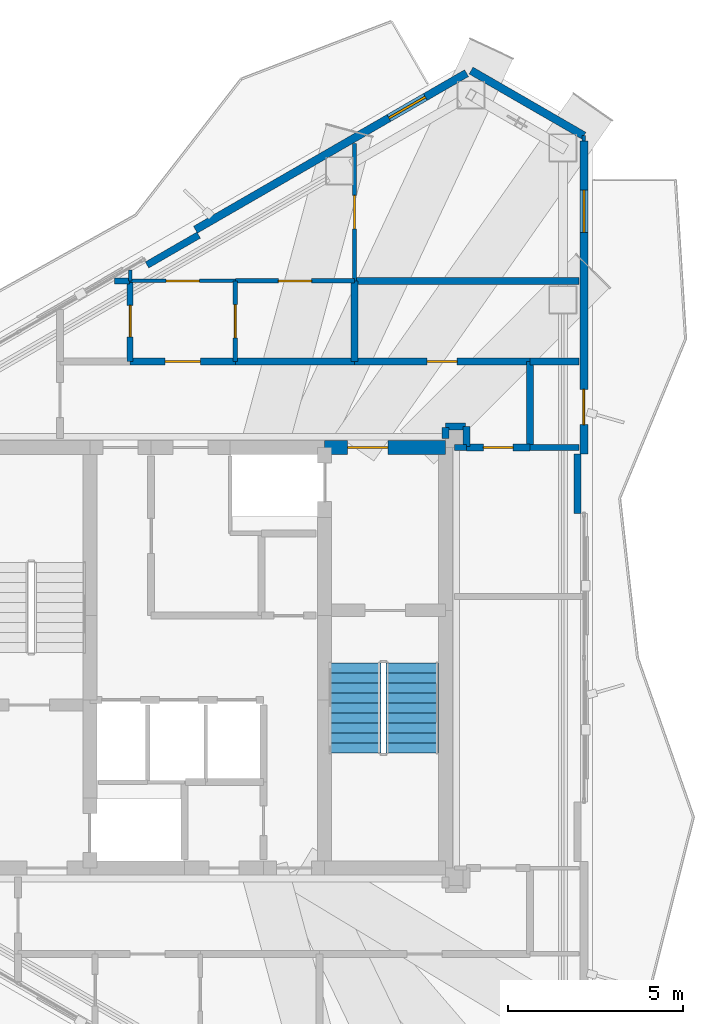
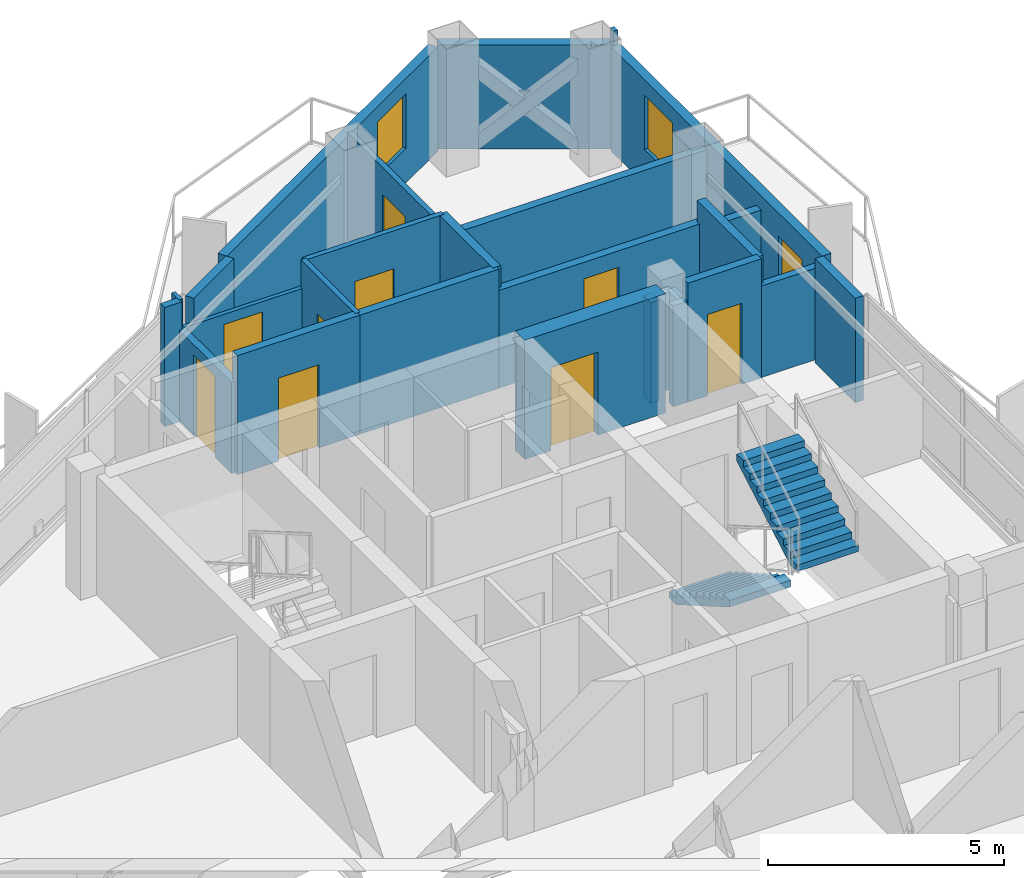
# One storey, part 15 of 17: 27 walls, 10 doors, 2 stair flights, 2 windows, 12 openings, 1 element without a shape of its own.
"""IFC4 building model written with IfcOpenShell, lengths in metres."""

from ifc_helpers import new_model, si_unit, direction, frame, frame_2d, origin, place, context, subcontext, project, spatial, polyline, rectangle, outline, extrude, material, layer, layer_set, type_object, element, fill, aggregate, save


model = new_model("IFC4")

# Units and contexts
model_context = context("Model", 3, precision=1e-05, world=origin(), true_north=direction((0.0, 1.0)))
body_context = subcontext(model_context, "Body", "Model", "MODEL_VIEW")
ifc_project = project(units=[si_unit("LENGTHUNIT", "METRE"), si_unit("AREAUNIT", "SQUARE_METRE"), si_unit("VOLUMEUNIT", "CUBIC_METRE"), si_unit("PLANEANGLEUNIT", "RADIAN"), si_unit("MASSUNIT", "GRAM", prefix="KILO")], contexts=[model_context])

# Site, building, storey
site_placement = place(None, origin())
site = spatial("IfcSite", under=ifc_project, at=site_placement, CompositionType="ELEMENT")
building_placement = place(site_placement, origin())
building = spatial("IfcBuilding", under=site, at=building_placement, Name="Mersakhor Tower and Convention Hall", CompositionType="ELEMENT")
storey_placement = place(building_placement, frame((0.0, 0.0, 223.199951171875)))
storey = spatial("IfcBuildingStorey", under=building, at=storey_placement, Name="L62", CompositionType="ELEMENT", Elevation=223.199951171875)

# Wall
ifc_material_1 = material(Name="Precast concrete C40/50", Category="concrete")
ifc_layer_1 = layer(ifc_material_1, 0.22509765625)
ifc_layer_set_1 = layer_set([ifc_layer_1], Name="Precast concrete C40/50")
wall_type_1 = type_object("IfcWallType", Name="WL-EXT-225", PredefinedType="SOLIDWALL", material=ifc_layer_set_1)
wall_1_placement = place(storey_placement, frame((36.525146484375, 43.49951171875, 0.0), z_axis=(0.0, 0.0, 1.0), x_axis=(0.866038962515, -0.499976514854, 0.0)))
element("IfcWall", 1, at=wall_1_placement, inside=storey, type_object=wall_type_1, Name="L62 Chamfer Braced Spandrel Wall C1", PredefinedType="SOLIDWALL", context=body_context, shape_type="SweptSolid", body=[
    extrude(rectangle(XDim=3.715576171875, YDim=0.22509765625, at=frame_2d((1.85791015625, 0.0))), origin(), (0.0, 0.0, 1.0), 2.699951171875),
])

# Wall, opening, window
wall_2_placement = place(storey_placement, frame((28.66357421875, 38.96044921875, 0.0), z_axis=(0.0, 0.0, 1.0), x_axis=(0.866026655105, 0.499997832642, 0.0)))
wall_2 = element("IfcWall", 2, at=wall_2_placement, inside=storey, type_object=wall_type_1, Name="L62 Exterior Facade Wall F1-B3", PredefinedType="SOLIDWALL", context=body_context, shape_type="SweptSolid", body=[
    extrude(rectangle(XDim=8.927734375, YDim=0.22509765625, at=frame_2d((4.4638671875, 0.0))), origin(), (0.0, 0.0, 1.0), 2.699951171875),
])
opening_1_placement = place(wall_2_placement, frame((6.3720703125, 0.0, 0.89990234375)))
opening_1 = element("IfcOpeningElement", 3, at=opening_1_placement, cuts=wall_2, Name="Opening W-01", PredefinedType="OPENING", context=body_context, shape_type="SweptSolid", body=[
    extrude(rectangle(XDim=1.199951171875, YDim=1.39990234375, at=frame_2d((0.60009765625, 0.699951171875))), frame((0.0, 0.12255859375, 0.0), z_axis=(0.0, -1.0, 0.0), x_axis=(1.0, 0.0, 0.0)), (0.0, 0.0, 1.0), 0.2451171875),
])
ifc_material_2 = material(Name="Dark solar low-E glazed aluminium window", Category="aluminium")
window_type = type_object("IfcWindowType", Name="WN-RES-120x150", PartitioningType="SINGLE_PANEL", PredefinedType="WINDOW", material=ifc_material_2)
window_1_placement = place(opening_1_placement, origin())
window_1 = element("IfcWindow", 4, at=window_1_placement, inside=storey, type_object=window_type, Name="L62 Bedroom Facade Window F1-B3-1", OverallHeight=1.39990234375, OverallWidth=1.199951171875, PartitioningType="SINGLE_PANEL", PredefinedType="WINDOW", context=body_context, shape_type="SweptSolid", body=[
    extrude(rectangle(XDim=1.199951171875, YDim=1.39990234375, at=frame_2d((0.60009765625, 0.699951171875))), frame((0.0, 0.030029296875, 0.0), z_axis=(0.0, -1.0, 0.0), x_axis=(1.0, 0.0, 0.0)), (0.0, 0.0, 1.0), 0.06005859375),
])
fill(opening_1, window_1)

# Wall, openings, door, window
wall_3_placement = place(storey_placement, frame((39.742919921875, 41.49169921875, 0.0), z_axis=(0.0, 0.0, 1.0), x_axis=(0.0, -1.0, 0.0)))
wall_3 = element("IfcWall", 5, at=wall_3_placement, inside=storey, type_object=wall_type_1, Name="L62 Exterior Facade Wall F2-B1", PredefinedType="SOLIDWALL", context=body_context, shape_type="SweptSolid", body=[
    extrude(rectangle(XDim=8.927734375, YDim=0.22509765625, at=frame_2d((4.4638671875, 0.0))), origin(), (0.0, 0.0, 1.0), 2.699951171875),
])
opening_2_placement = place(wall_3_placement, frame((7.090087890625, 0.0, 0.0)))
opening_2 = element("IfcOpeningElement", 6, at=opening_2_placement, cuts=wall_3, Name="Opening BD-01", PredefinedType="OPENING", context=body_context, shape_type="SweptSolid", body=[
    extrude(rectangle(XDim=1.0, YDim=2.10009765625, at=frame_2d((0.5, 1.050048828125))), frame((0.0, 0.12255859375, 0.0), z_axis=(0.0, -1.0, 0.0), x_axis=(1.0, 0.0, 0.0)), (0.0, 0.0, 1.0), 0.2451171875),
])
opening_3_placement = place(wall_3_placement, frame((1.406005859375, 0.0, 0.89990234375)))
opening_3 = element("IfcOpeningElement", 7, at=opening_3_placement, cuts=wall_3, Name="Opening W-01", PredefinedType="OPENING", context=body_context, shape_type="SweptSolid", body=[
    extrude(rectangle(XDim=1.199951171875, YDim=1.39990234375, at=frame_2d((0.60009765625, 0.699951171875))), frame((0.0, 0.12255859375, 0.0), z_axis=(0.0, -1.0, 0.0), x_axis=(1.0, 0.0, 0.0)), (0.0, 0.0, 1.0), 0.2451171875),
])
ifc_material_3 = material(Name="Thermally broken dark aluminium and safety glass", Category="aluminium")
door_type_1 = type_object("IfcDoorType", Name="DR-BAL-100x210", OperationType="NOTDEFINED", PredefinedType="DOOR", material=ifc_material_3)
door_1_placement = place(opening_2_placement, origin())
door_1 = element("IfcDoor", 8, at=door_1_placement, inside=storey, type_object=door_type_1, Name="L62 Balcony Terrace Door F2-B1", OperationType="SINGLE_SWING_LEFT", OverallHeight=2.10009765625, OverallWidth=1.0, PredefinedType="DOOR", context=body_context, shape_type="SweptSolid", body=[
    extrude(rectangle(XDim=1.0, YDim=2.10009765625, at=frame_2d((0.5, 1.050048828125))), frame((0.0, 0.02490234375, 0.0), z_axis=(0.0, -1.0, 0.0), x_axis=(1.0, 0.0, 0.0)), (0.0, 0.0, 1.0), 0.050048828125),
])
fill(opening_2, door_1)
window_2_placement = place(opening_3_placement, origin())
window_2 = element("IfcWindow", 9, at=window_2_placement, inside=storey, type_object=window_type, Name="L62 Bedroom Facade Window F2-B1-1", OverallHeight=1.39990234375, OverallWidth=1.199951171875, PartitioningType="SINGLE_PANEL", PredefinedType="WINDOW", context=body_context, shape_type="SweptSolid", body=[
    extrude(rectangle(XDim=1.199951171875, YDim=1.39990234375, at=frame_2d((0.60009765625, 0.699951171875))), frame((0.0, 0.030029296875, 0.0), z_axis=(0.0, -1.0, 0.0), x_axis=(1.0, 0.0, 0.0)), (0.0, 0.0, 1.0), 0.06005859375),
])
fill(opening_3, window_2)

# Walls
ifc_material_4 = material(Name="Precast concrete C40/50", Category="concrete")
ifc_layer_2 = layer(ifc_material_4, 0.199951171875)
ifc_layer_set_2 = layer_set([ifc_layer_2], Name="Precast concrete C40/50")
wall_type_2 = type_object("IfcWallType", Name="WL-PAR-200", PredefinedType="PARAPET", material=ifc_layer_set_2)
wall_4_placement = place(storey_placement, frame((27.28125, 37.95458984375, 0.0), z_axis=(0.0, 0.0, 1.0), x_axis=(0.866025371046, 0.500000056704, 0.0)))
element("IfcWall", 10, at=wall_4_placement, inside=storey, type_object=wall_type_2, Name="L62 Column Pier Cladding Wall F1-C2", PredefinedType="PARAPET", context=body_context, shape_type="SweptSolid", body=[
    extrude(rectangle(XDim=1.7001953125, YDim=0.199951171875, at=frame_2d((0.85009765625, 0.0))), origin(), (0.0, 0.0, 1.0), 2.699951171875),
])
wall_5_placement = place(storey_placement, frame((39.562744140625, 32.56396484375, 0.0), z_axis=(0.0, 0.0, 1.0), x_axis=(0.0, -1.0, 0.0)))
element("IfcWall", 11, at=wall_5_placement, inside=storey, type_object=wall_type_2, Name="L62 Column Pier Cladding Wall F2-C1", PredefinedType="PARAPET", context=body_context, shape_type="SweptSolid", body=[
    extrude(rectangle(XDim=1.699951171875, YDim=0.199951171875, at=frame_2d((0.85009765625, 0.0))), origin(), (0.0, 0.0, 1.0), 2.699951171875),
])

# Wall, opening, door
ifc_material_5 = material(Name="Moisture-resistant acoustic drywall studwork", Category="other")
ifc_layer_3 = layer(ifc_material_5, 0.175048828125)
ifc_layer_set_3 = layer_set([ifc_layer_3], Name="Moisture-resistant acoustic drywall studwork")
wall_type_3 = type_object("IfcWallType", Name="WL-PLM-175", PredefinedType="PLUMBINGWALL", material=ifc_layer_set_3)
wall_6_placement = place(storey_placement, frame((26.800048828125, 35.199951171875, 0.0), z_axis=(0.0, 0.0, 1.0), x_axis=(0.0, 1.0, 0.0)))
wall_6 = element("IfcWall", 12, at=wall_6_placement, inside=storey, type_object=wall_type_3, Name="L62 Interior Partition Wall P-038", PredefinedType="PLUMBINGWALL", context=body_context, shape_type="SweptSolid", body=[
    extrude(rectangle(XDim=2.300048828125, YDim=0.175048828125, at=frame_2d((1.14990234375, 0.0))), origin(), (0.0, 0.0, 1.0), 2.364990234375),
])
opening_4_placement = place(wall_6_placement, frame((0.699951171875, 0.0, 0.0)))
opening_4 = element("IfcOpeningElement", 13, at=opening_4_placement, cuts=wall_6, Name="Opening WD-01", PredefinedType="OPENING", context=body_context, shape_type="SweptSolid", body=[
    extrude(rectangle(XDim=0.89990234375, YDim=2.10009765625, at=frame_2d((0.449951171875, 1.050048828125))), frame((0.0, 0.097412109375, 0.0), z_axis=(0.0, -1.0, 0.0), x_axis=(1.0, 0.0, 0.0)), (0.0, 0.0, 1.0), 0.195068359375),
])
ifc_material_6 = material(Name="Solid-core hardwood leaf in painted steel frame", Category="steel")
door_type_2 = type_object("IfcDoorType", Name="DR-INT-WET-090x210", OperationType="NOTDEFINED", PredefinedType="DOOR", material=ifc_material_6)
door_2_placement = place(opening_4_placement, origin())
door_2 = element("IfcDoor", 14, at=door_2_placement, inside=storey, type_object=door_type_2, Name="L62 L62 Flat N1 Apartment Hall to L62 Flat N1 Bathroom Door", OperationType="SINGLE_SWING_LEFT", OverallHeight=2.10009765625, OverallWidth=0.89990234375, PredefinedType="DOOR", context=body_context, shape_type="SweptSolid", body=[
    extrude(rectangle(XDim=0.89990234375, YDim=2.10009765625, at=frame_2d((0.449951171875, 1.050048828125))), frame((0.0, 0.02490234375, 0.0), z_axis=(0.0, -1.0, 0.0), x_axis=(1.0, 0.0, 0.0)), (0.0, 0.0, 1.0), 0.050048828125),
])
fill(opening_4, door_2)

# Walls
wall_7_placement = place(storey_placement, frame((36.050048828125, 32.75, 0.0), z_axis=(0.0, 0.0, 1.0), x_axis=(1.0, 0.0, 0.0)))
element("IfcWall", 15, at=wall_7_placement, inside=storey, type_object=wall_type_3, Name="L62 Interior Partition Wall P-042", PredefinedType="PLUMBINGWALL", context=body_context, shape_type="SweptSolid", body=[
    extrude(rectangle(XDim=0.349853515625, YDim=0.175048828125, at=frame_2d((0.1748046875, 0.0))), origin(), (0.0, 0.0, 1.0), 2.60498046875),
])
wall_8_placement = place(storey_placement, frame((38.199951171875, 32.75, 0.0), z_axis=(0.0, 0.0, 1.0), x_axis=(1.0, 0.0, 0.0)))
element("IfcWall", 16, at=wall_8_placement, inside=storey, type_object=wall_type_3, Name="L62 Interior Partition Wall P-043", PredefinedType="PLUMBINGWALL", context=body_context, shape_type="SweptSolid", body=[
    extrude(rectangle(XDim=1.40625, YDim=0.175048828125, at=frame_2d((0.703125, 0.0))), origin(), (0.0, 0.0, 1.0), 2.364990234375),
])
wall_9_placement = place(storey_placement, frame((26.356689453125, 37.5, 0.0), z_axis=(0.0, 0.0, 1.0), x_axis=(1.0, 0.0, 0.0)))
element("IfcWall", 17, at=wall_9_placement, inside=storey, type_object=wall_type_3, Name="L62 Interior Partition Wall P-046", PredefinedType="PLUMBINGWALL", context=body_context, shape_type="SweptSolid", body=[
    extrude(rectangle(XDim=0.42822265625, YDim=0.175048828125, at=frame_2d((0.214111328125, 0.0))), origin(), (0.0, 0.0, 1.0), 3.080078125),
])

# Wall, opening, door
ifc_material_7 = material(Name="Lightweight gypsum partition", Category="other")
ifc_layer_4 = layer(ifc_material_7, 0.10009765625)
ifc_layer_set_4 = layer_set([ifc_layer_4], Name="Lightweight gypsum partition")
wall_type_4 = type_object("IfcWallType", Name="WL-PRT-100", PredefinedType="PARTITIONING", material=ifc_layer_set_4)
wall_10_placement = place(storey_placement, frame((26.800048828125, 37.5, 0.0), z_axis=(0.0, 0.0, 1.0), x_axis=(1.0, 0.0, 0.0)))
wall_10 = element("IfcWall", 18, at=wall_10_placement, inside=storey, type_object=wall_type_4, Name="L62 Interior Partition Wall P-036", PredefinedType="PARTITIONING", context=body_context, shape_type="SweptSolid", body=[
    extrude(rectangle(XDim=3.0, YDim=0.10009765625, at=frame_2d((1.5, 0.0))), origin(), (0.0, 0.0, 1.0), 2.364990234375),
])
opening_5_placement = place(wall_10_placement, frame((1.02490234375, 0.0, 0.0)))
opening_5 = element("IfcOpeningElement", 19, at=opening_5_placement, cuts=wall_10, Name="Opening RD-01", PredefinedType="OPENING", context=body_context, shape_type="SweptSolid", body=[
    extrude(rectangle(XDim=0.949951171875, YDim=2.10009765625, at=frame_2d((0.47509765625, 1.050048828125))), frame((0.0, 0.06005859375, 0.0), z_axis=(0.0, -1.0, 0.0), x_axis=(1.0, 0.0, 0.0)), (0.0, 0.0, 1.0), 0.1201171875),
])
ifc_material_8 = material(Name="Solid-core hardwood leaf in painted steel frame", Category="steel")
door_type_3 = type_object("IfcDoorType", Name="DR-INT-RM-095x210", OperationType="NOTDEFINED", PredefinedType="DOOR", material=ifc_material_8)
door_3_placement = place(opening_5_placement, origin())
door_3 = element("IfcDoor", 20, at=door_3_placement, inside=storey, type_object=door_type_3, Name="L62 L62 Flat N1 Apartment Hall to L62 Flat N1 Living and Dining Room Door", OperationType="SINGLE_SWING_LEFT", OverallHeight=2.10009765625, OverallWidth=0.949951171875, PredefinedType="DOOR", context=body_context, shape_type="SweptSolid", body=[
    extrude(rectangle(XDim=0.949951171875, YDim=2.10009765625, at=frame_2d((0.47509765625, 1.050048828125))), frame((0.0, 0.02490234375, 0.0), z_axis=(0.0, -1.0, 0.0), x_axis=(1.0, 0.0, 0.0)), (0.0, 0.0, 1.0), 0.050048828125),
])
fill(opening_5, door_3)

# Walls
wall_11_placement = place(storey_placement, frame((26.800048828125, 37.5, 0.0), z_axis=(0.0, 0.0, 1.0), x_axis=(0.0, 1.0, 0.0)))
element("IfcWall", 21, at=wall_11_placement, inside=storey, type_object=wall_type_4, Name="L62 Interior Partition Wall P-062", PredefinedType="PARTITIONING", context=body_context, shape_type="SweptSolid", body=[
    extrude(rectangle(XDim=0.308349609375, YDim=0.10009765625, at=frame_2d((0.154296875, 0.0))), origin(), (0.0, 0.0, 1.0), 3.080078125),
])
wall_12_placement = place(storey_placement, frame((39.742919921875, 41.64208984375, 0.0), z_axis=(0.0, 0.0, 1.0), x_axis=(0.0, -1.0, 0.0)))
element("IfcWall", 22, at=wall_12_placement, inside=storey, type_object=wall_type_4, Name="L62 Interior Partition Wall P-064", PredefinedType="PARTITIONING", context=body_context, shape_type="SweptSolid", body=[
    extrude(rectangle(XDim=0.150390625, YDim=0.10009765625, at=frame_2d((0.0751953125, 0.0))), origin(), (0.0, 0.0, 1.0), 3.080078125),
])

# Wall, opening, door
ifc_material_9 = material(Name="Gypsum board acoustic partition", Category="other")
ifc_layer_5 = layer(ifc_material_9, 0.125)
ifc_layer_set_5 = layer_set([ifc_layer_5], Name="Gypsum board acoustic partition")
wall_type_5 = type_object("IfcWallType", Name="WL-PRT-125", PredefinedType="PARTITIONING", material=ifc_layer_set_5)
wall_13_placement = place(storey_placement, frame((29.800048828125, 37.5, 0.0), z_axis=(0.0, 0.0, 1.0), x_axis=(0.0, -1.0, 0.0)))
wall_13 = element("IfcWall", 23, at=wall_13_placement, inside=storey, type_object=wall_type_5, Name="L62 Interior Partition Wall P-037", PredefinedType="PARTITIONING", context=body_context, shape_type="SweptSolid", body=[
    extrude(rectangle(XDim=2.300048828125, YDim=0.125, at=frame_2d((1.14990234375, 0.0))), origin(), (0.0, 0.0, 1.0), 3.080078125),
])
opening_6_placement = place(wall_13_placement, frame((0.675048828125, 0.0, 0.0)))
opening_6 = element("IfcOpeningElement", 24, at=opening_6_placement, cuts=wall_13, Name="Opening RD-01", PredefinedType="OPENING", context=body_context, shape_type="SweptSolid", body=[
    extrude(rectangle(XDim=0.949951171875, YDim=2.10009765625, at=frame_2d((0.47509765625, 1.050048828125))), frame((0.0, 0.072509765625, 0.0), z_axis=(0.0, -1.0, 0.0), x_axis=(1.0, 0.0, 0.0)), (0.0, 0.0, 1.0), 0.14501953125),
])
door_4_placement = place(opening_6_placement, origin())
door_4 = element("IfcDoor", 25, at=door_4_placement, inside=storey, type_object=door_type_3, Name="L62 L62 Flat N1 Apartment Hall to L62 Flat N1 Kitchen Door", OperationType="SINGLE_SWING_RIGHT", OverallHeight=2.10009765625, OverallWidth=0.949951171875, PredefinedType="DOOR", context=body_context, shape_type="SweptSolid", body=[
    extrude(rectangle(XDim=0.949951171875, YDim=2.10009765625, at=frame_2d((0.47509765625, 1.050048828125))), frame((0.0, 0.02490234375, 0.0), z_axis=(0.0, -1.0, 0.0), x_axis=(1.0, 0.0, 0.0)), (0.0, 0.0, 1.0), 0.050048828125),
])
fill(opening_6, door_4)

wall_14_placement = place(storey_placement, frame((29.800048828125, 37.5, 0.0), z_axis=(0.0, 0.0, 1.0), x_axis=(1.0, 0.0, 0.0)))
wall_14 = element("IfcWall", 26, at=wall_14_placement, inside=storey, type_object=wall_type_5, Name="L62 Interior Partition Wall P-047", PredefinedType="PARTITIONING", context=body_context, shape_type="SweptSolid", body=[
    extrude(rectangle(XDim=3.39990234375, YDim=0.125, at=frame_2d((1.699951171875, 0.0))), origin(), (0.0, 0.0, 1.0), 3.080078125),
])
opening_7_placement = place(wall_14_placement, frame((1.22509765625, 0.0, 0.0)))
opening_7 = element("IfcOpeningElement", 27, at=opening_7_placement, cuts=wall_14, Name="Opening RD-01", PredefinedType="OPENING", context=body_context, shape_type="SweptSolid", body=[
    extrude(rectangle(XDim=0.949951171875, YDim=2.10009765625, at=frame_2d((0.47509765625, 1.050048828125))), frame((0.0, 0.072509765625, 0.0), z_axis=(0.0, -1.0, 0.0), x_axis=(1.0, 0.0, 0.0)), (0.0, 0.0, 1.0), 0.14501953125),
])
door_5_placement = place(opening_7_placement, origin())
door_5 = element("IfcDoor", 28, at=door_5_placement, inside=storey, type_object=door_type_3, Name="L62 L62 Flat N1 Kitchen to L62 Flat N1 Living and Dining Room Door", OperationType="SINGLE_SWING_LEFT", OverallHeight=2.10009765625, OverallWidth=0.949951171875, PredefinedType="DOOR", context=body_context, shape_type="SweptSolid", body=[
    extrude(rectangle(XDim=0.949951171875, YDim=2.10009765625, at=frame_2d((0.47509765625, 1.050048828125))), frame((0.0, 0.02490234375, 0.0), z_axis=(0.0, -1.0, 0.0), x_axis=(1.0, 0.0, 0.0)), (0.0, 0.0, 1.0), 0.050048828125),
])
fill(opening_7, door_5)

wall_15_placement = place(storey_placement, frame((33.199951171875, 41.422119140625, 0.0), z_axis=(0.0, 0.0, 1.0), x_axis=(0.0, -1.0, 0.0)))
wall_15 = element("IfcWall", 29, at=wall_15_placement, inside=storey, type_object=wall_type_5, Name="L62 Interior Partition Wall P-063", PredefinedType="PARTITIONING", context=body_context, shape_type="SweptSolid", body=[
    extrude(rectangle(XDim=3.922119140625, YDim=0.125, at=frame_2d((1.9609375, 0.0))), origin(), (0.0, 0.0, 1.0), 2.8046875),
])
opening_8_placement = place(wall_15_placement, frame((1.486083984375, 0.0, 0.0)))
opening_8 = element("IfcOpeningElement", 30, at=opening_8_placement, cuts=wall_15, Name="Opening RD-01", PredefinedType="OPENING", context=body_context, shape_type="SweptSolid", body=[
    extrude(rectangle(XDim=0.949951171875, YDim=2.10009765625, at=frame_2d((0.47509765625, 1.050048828125))), frame((0.0, 0.072509765625, 0.0), z_axis=(0.0, -1.0, 0.0), x_axis=(1.0, 0.0, 0.0)), (0.0, 0.0, 1.0), 0.14501953125),
])
door_6_placement = place(opening_8_placement, origin())
door_6 = element("IfcDoor", 31, at=door_6_placement, inside=storey, type_object=door_type_3, Name="L62 L62 Flat N1 Living and Dining Room to L62 Flat N1 Master Bedroom Door", OperationType="SINGLE_SWING_LEFT", OverallHeight=2.10009765625, OverallWidth=0.949951171875, PredefinedType="DOOR", context=body_context, shape_type="SweptSolid", body=[
    extrude(rectangle(XDim=0.949951171875, YDim=2.10009765625, at=frame_2d((0.47509765625, 1.050048828125))), frame((0.0, 0.02490234375, 0.0), z_axis=(0.0, -1.0, 0.0), x_axis=(1.0, 0.0, 0.0)), (0.0, 0.0, 1.0), 0.050048828125),
])
fill(opening_8, door_6)

ifc_material_10 = material(Name="Acoustic concrete blockwork and gypsum board", Category="masonry")
ifc_layer_6 = layer(ifc_material_10, 0.199951171875)
ifc_layer_set_6 = layer_set([ifc_layer_6], Name="Acoustic concrete blockwork and gypsum board")
wall_type_6 = type_object("IfcWallType", Name="WL-PRT-200", PredefinedType="PARTITIONING", material=ifc_layer_set_6)
wall_16_placement = place(storey_placement, frame((26.800048828125, 35.199951171875, 0.0), z_axis=(0.0, 0.0, 1.0), x_axis=(1.0, 0.0, 0.0)))
wall_16 = element("IfcWall", 32, at=wall_16_placement, inside=storey, type_object=wall_type_6, Name="L62 Interior Partition Wall P-017", PredefinedType="PARTITIONING", context=body_context, shape_type="SweptSolid", body=[
    extrude(rectangle(XDim=3.0, YDim=0.199951171875, at=frame_2d((1.5, 0.0))), origin(), (0.0, 0.0, 1.0), 3.080078125),
])
opening_9_placement = place(wall_16_placement, frame((1.0, 0.0, 0.0)))
opening_9 = element("IfcOpeningElement", 33, at=opening_9_placement, cuts=wall_16, Name="Opening FD-01", PredefinedType="OPENING", context=body_context, shape_type="SweptSolid", body=[
    extrude(rectangle(XDim=1.0, YDim=2.14990234375, at=frame_2d((0.5, 1.074951171875))), frame((0.0, 0.10986328125, 0.0), z_axis=(0.0, -1.0, 0.0), x_axis=(1.0, 0.0, 0.0)), (0.0, 0.0, 1.0), 0.219970703125),
])
ifc_material_11 = material(Name="Fire-rated hardwood leaf and painted steel frame", Category="steel")
door_type_4 = type_object("IfcDoorType", Name="DR-INT-FLT-100x215", OperationType="NOTDEFINED", PredefinedType="DOOR", material=ifc_material_11)
door_7_placement = place(opening_9_placement, origin())
door_7 = element("IfcDoor", 34, at=door_7_placement, inside=storey, type_object=door_type_4, Name="L62 Apartment Entrance Door (Residential North Gallery Corridor to L62 Flat N1 Apartment Hall)", OperationType="SINGLE_SWING_LEFT", OverallHeight=2.14990234375, OverallWidth=1.0, PredefinedType="DOOR", context=body_context, shape_type="SweptSolid", body=[
    extrude(rectangle(XDim=1.0, YDim=2.14990234375, at=frame_2d((0.5, 1.074951171875))), frame((0.0, 0.02490234375, 0.0), z_axis=(0.0, -1.0, 0.0), x_axis=(1.0, 0.0, 0.0)), (0.0, 0.0, 1.0), 0.050048828125),
])
fill(opening_9, door_7)

# Wall
wall_17_placement = place(storey_placement, frame((29.800048828125, 35.199951171875, 0.0), z_axis=(0.0, 0.0, 1.0), x_axis=(1.0, 0.0, 0.0)))
element("IfcWall", 35, at=wall_17_placement, inside=storey, type_object=wall_type_6, Name="L62 Interior Partition Wall P-018", PredefinedType="PARTITIONING", context=body_context, shape_type="SweptSolid", body=[
    extrude(rectangle(XDim=3.39990234375, YDim=0.199951171875, at=frame_2d((1.699951171875, 0.0))), origin(), (0.0, 0.0, 1.0), 3.080078125),
])

# Wall, opening, door
wall_18_placement = place(storey_placement, frame((33.199951171875, 35.199951171875, 0.0), z_axis=(0.0, 0.0, 1.0), x_axis=(1.0, 0.0, 0.0)))
wall_18 = element("IfcWall", 36, at=wall_18_placement, inside=storey, type_object=wall_type_6, Name="L62 Interior Partition Wall P-019", PredefinedType="PARTITIONING", context=body_context, shape_type="SweptSolid", body=[
    extrude(rectangle(XDim=5.0, YDim=0.199951171875, at=frame_2d((2.5, 0.0))), origin(), (0.0, 0.0, 1.0), 2.5283203125),
])
opening_10_placement = place(wall_18_placement, frame((2.074951171875, 0.0, 0.0)))
opening_10 = element("IfcOpeningElement", 37, at=opening_10_placement, cuts=wall_18, Name="Opening SVD-01", PredefinedType="OPENING", context=body_context, shape_type="SweptSolid", body=[
    extrude(rectangle(XDim=0.85009765625, YDim=2.10009765625, at=frame_2d((0.425048828125, 1.050048828125))), frame((0.0, 0.10986328125, 0.0), z_axis=(0.0, -1.0, 0.0), x_axis=(1.0, 0.0, 0.0)), (0.0, 0.0, 1.0), 0.219970703125),
])
ifc_material_12 = material(Name="Fire-rated hardwood leaf and painted steel frame", Category="steel")
door_type_5 = type_object("IfcDoorType", Name="DR-INT-SVC-085x210", OperationType="NOTDEFINED", PredefinedType="DOOR", material=ifc_material_12)
door_8_placement = place(opening_10_placement, origin())
door_8 = element("IfcDoor", 38, at=door_8_placement, inside=storey, type_object=door_type_5, Name="L62 Residential North Gallery Corridor to L62 North-East Household Store Door", OperationType="SINGLE_SWING_RIGHT", OverallHeight=2.10009765625, OverallWidth=0.85009765625, PredefinedType="DOOR", context=body_context, shape_type="SweptSolid", body=[
    extrude(rectangle(XDim=0.85009765625, YDim=2.10009765625, at=frame_2d((0.425048828125, 1.050048828125))), frame((0.0, 0.02490234375, 0.0), z_axis=(0.0, -1.0, 0.0), x_axis=(1.0, 0.0, 0.0)), (0.0, 0.0, 1.0), 0.050048828125),
])
fill(opening_10, door_8)

# Wall
wall_19_placement = place(storey_placement, frame((38.199951171875, 35.199951171875, 0.0), z_axis=(0.0, 0.0, 1.0), x_axis=(0.0, -1.0, 0.0)))
element("IfcWall", 39, at=wall_19_placement, inside=storey, type_object=wall_type_6, Name="L62 Interior Partition Wall P-020", PredefinedType="PARTITIONING", context=body_context, shape_type="SweptSolid", body=[
    extrude(rectangle(XDim=2.449951171875, YDim=0.199951171875, at=frame_2d((1.22509765625, 0.0))), origin(), (0.0, 0.0, 1.0), 3.080078125),
])

# Wall, opening, door
wall_20_placement = place(storey_placement, frame((38.199951171875, 32.75, 0.0), z_axis=(0.0, 0.0, 1.0), x_axis=(-1.0, 0.0, 0.0)))
wall_20 = element("IfcWall", 40, at=wall_20_placement, inside=storey, type_object=wall_type_6, Name="L62 Interior Partition Wall P-021", PredefinedType="PARTITIONING", context=body_context, shape_type="SweptSolid", body=[
    extrude(rectangle(XDim=1.800048828125, YDim=0.199951171875, at=frame_2d((0.89990234375, 0.0))), origin(), (0.0, 0.0, 1.0), 3.080078125),
])
opening_11_placement = place(wall_20_placement, frame((0.47509765625, 0.0, 0.0)))
opening_11 = element("IfcOpeningElement", 41, at=opening_11_placement, cuts=wall_20, Name="Opening SVD-01", PredefinedType="OPENING", context=body_context, shape_type="SweptSolid", body=[
    extrude(rectangle(XDim=0.85009765625, YDim=2.10009765625, at=frame_2d((0.425048828125, 1.050048828125))), frame((0.0, 0.10986328125, 0.0), z_axis=(0.0, -1.0, 0.0), x_axis=(1.0, 0.0, 0.0)), (0.0, 0.0, 1.0), 0.219970703125),
])
door_9_placement = place(opening_11_placement, origin())
door_9 = element("IfcDoor", 42, at=door_9_placement, inside=storey, type_object=door_type_5, Name="L62 Residential North Gallery Corridor to L62 East Crown Public Restroom WC Door", OperationType="SINGLE_SWING_RIGHT", OverallHeight=2.10009765625, OverallWidth=0.85009765625, PredefinedType="DOOR", context=body_context, shape_type="SweptSolid", body=[
    extrude(rectangle(XDim=0.85009765625, YDim=2.10009765625, at=frame_2d((0.425048828125, 1.050048828125))), frame((0.0, 0.02490234375, 0.0), z_axis=(0.0, -1.0, 0.0), x_axis=(1.0, 0.0, 0.0)), (0.0, 0.0, 1.0), 0.050048828125),
])
fill(opening_11, door_9)

# Walls
for number, where, z_axis, x_axis, name in (
    (43, (36.39990234375, 32.780029296875, 0.0), (0.0, 0.0, 1.0), (0.0, 1.0, 0.0), "L62 Interior Partition Wall P-022"),
    (44, (36.3701171875, 33.35009765625, 0.0), (0.0, 0.0, 1.0), (-1.0, 0.0, 0.0), "L62 Interior Partition Wall P-023"),
):
    element("IfcWall", number, at=place(storey_placement, frame(where, z_axis=z_axis, x_axis=x_axis)), inside=storey, type_object=wall_type_6, Name=name, PredefinedType="PARTITIONING", context=body_context, shape_type="SweptSolid", body=[
        extrude(rectangle(XDim=0.570068359375, YDim=0.199951171875, at=frame_2d((0.28515625, 0.0))), origin(), (0.0, 0.0, 1.0), 2.5283203125),
    ])
wall_21_placement = place(storey_placement, frame((35.800048828125, 33.320068359375, 0.0), z_axis=(0.0, 0.0, 1.0), x_axis=(0.0, -1.0, 0.0)))
element("IfcWall", 45, at=wall_21_placement, inside=storey, type_object=wall_type_6, Name="L62 Interior Partition Wall P-024", PredefinedType="PARTITIONING", context=body_context, shape_type="SweptSolid", body=[
    extrude(rectangle(XDim=0.320068359375, YDim=0.199951171875, at=frame_2d((0.16015625, 0.0))), origin(), (0.0, 0.0, 1.0), 2.60498046875),
])
wall_22_placement = place(storey_placement, frame((33.199951171875, 37.5, 0.0), z_axis=(0.0, 0.0, 1.0), x_axis=(0.0, -1.0, 0.0)))
element("IfcWall", 46, at=wall_22_placement, inside=storey, type_object=wall_type_6, Name="L62 Interior Partition Wall P-048", PredefinedType="PARTITIONING", context=body_context, shape_type="SweptSolid", body=[
    extrude(rectangle(XDim=2.300048828125, YDim=0.199951171875, at=frame_2d((1.14990234375, 0.0))), origin(), (0.0, 0.0, 1.0), 3.080078125),
])
wall_23_placement = place(storey_placement, frame((39.606201171875, 35.199951171875, 0.0), z_axis=(0.0, 0.0, 1.0), x_axis=(-1.0, 0.0, 0.0)))
element("IfcWall", 47, at=wall_23_placement, inside=storey, type_object=wall_type_6, Name="L62 Interior Partition Wall P-053", PredefinedType="PARTITIONING", context=body_context, shape_type="SweptSolid", body=[
    extrude(rectangle(XDim=1.40625, YDim=0.199951171875, at=frame_2d((0.703125, 0.0))), origin(), (0.0, 0.0, 1.0), 2.364990234375),
])
wall_24_placement = place(storey_placement, frame((33.199951171875, 37.5, 0.0), z_axis=(0.0, 0.0, 1.0), x_axis=(1.0, 0.0, 0.0)))
element("IfcWall", 48, at=wall_24_placement, inside=storey, type_object=wall_type_6, Name="L62 Interior Partition Wall P-054", PredefinedType="PARTITIONING", context=body_context, shape_type="SweptSolid", body=[
    extrude(rectangle(XDim=6.40625, YDim=0.199951171875, at=frame_2d((3.203125, 0.0))), origin(), (0.0, 0.0, 1.0), 2.5283203125),
])

# Wall, opening, door
ifc_material_13 = material(Name="Concrete C60/75", Category="concrete")
ifc_layer_7 = layer(ifc_material_13, 0.39990234375)
ifc_layer_set_7 = layer_set([ifc_layer_7], Name="Concrete C60/75")
wall_type_7 = type_object("IfcWallType", Name="WL-SHR-400", PredefinedType="SHEAR", material=ifc_layer_set_7)
wall_25_placement = place(storey_placement, frame((32.35009765625, 32.75, 0.0), z_axis=(0.0, 0.0, 1.0), x_axis=(1.0, 0.0, 0.0)))
wall_25 = element("IfcWall", 49, at=wall_25_placement, inside=storey, type_object=wall_type_7, Name="L62 Core Wall CW-N4", PredefinedType="SHEAR", context=body_context, shape_type="SweptSolid", body=[
    extrude(rectangle(XDim=3.449951171875, YDim=0.39990234375, at=frame_2d((1.72509765625, 0.0))), origin(), (0.0, 0.0, 1.0), 3.080078125),
])
opening_12_placement = place(wall_25_placement, frame((0.64990234375, 0.0, 0.0)))
opening_12 = element("IfcOpeningElement", 50, at=opening_12_placement, cuts=wall_25, Name="Opening SD-01", PredefinedType="OPENING", context=body_context, shape_type="SweptSolid", body=[
    extrude(rectangle(XDim=1.14990234375, YDim=2.14990234375, at=frame_2d((0.574951171875, 1.074951171875))), frame((0.0, 0.2099609375, 0.0), z_axis=(0.0, -1.0, 0.0), x_axis=(1.0, 0.0, 0.0)), (0.0, 0.0, 1.0), 0.419921875),
])
ifc_material_14 = material(Name="Fire-rated hardwood leaf and painted steel frame", Category="steel")
door_type_6 = type_object("IfcDoorType", Name="DR-INT-STAIR-115x215", OperationType="NOTDEFINED", PredefinedType="DOOR", material=ifc_material_14)
door_10_placement = place(opening_12_placement, origin())
door_10 = element("IfcDoor", 51, at=door_10_placement, inside=storey, type_object=door_type_6, Name="L62 Firefighting Lobby East Fire Door", OperationType="SINGLE_SWING_RIGHT", OverallHeight=2.14990234375, OverallWidth=1.14990234375, PredefinedType="DOOR", context=body_context, shape_type="SweptSolid", body=[
    extrude(rectangle(XDim=1.14990234375, YDim=2.14990234375, at=frame_2d((0.574951171875, 1.074951171875))), frame((0.0, 0.02490234375, 0.0), z_axis=(0.0, -1.0, 0.0), x_axis=(1.0, 0.0, 0.0)), (0.0, 0.0, 1.0), 0.050048828125),
])
fill(opening_12, door_10)

# Stair, stair flights
ifc_material_15 = material(Name="Concrete C45/55", Category="concrete")
stair_type = type_object("IfcStairType", Name="ST-TWR-20R", PredefinedType="HALF_TURN_STAIR", material=ifc_material_15)
stair_placement = place(storey_placement, origin())
stair = element("IfcStair", 52, at=stair_placement, inside=storey, type_object=stair_type, Name="L62 Tower Protected Exit Stair ST-2", PredefinedType="HALF_TURN_STAIR")
ifc_material_16 = material(Name="Concrete C45/55", Category="concrete")
stair_flight_type = type_object("IfcStairFlightType", Name="SFL-TWR-20R", PredefinedType="STRAIGHT", material=ifc_material_16)
stair_flight_1_placement = place(storey_placement, frame((33.199951171875, 26.60009765625, 0.0), z_axis=(0.0, 0.0, 1.0), x_axis=(0.0, -1.0, 0.0)))
stair_flight_1 = element("IfcStairFlight", 53, at=stair_flight_1_placement, type_object=stair_flight_type, Name="ST-2 flight 1", NumberOfRisers=10, NumberOfTreads=9, PredefinedType="STRAIGHT", RiserHeight=0.165, TreadLength=0.285, context=body_context, shape_type="SweptSolid", body=[
    extrude(outline(polyline([(0.0, 0.0), (0.0, 0.1650390625), (0.284912109375, 0.1650390625), (0.284912109375, 0.330078125), (0.570068359375, 0.330078125), (0.570068359375, 0.4951171875), (0.85498046875, 0.4951171875), (0.85498046875, 0.659912109375), (1.139892578125, 0.659912109375), (1.139892578125, 0.824951171875), (1.425048828125, 0.824951171875), (1.425048828125, 0.989990234375), (1.7099609375, 0.989990234375), (1.7099609375, 1.155029296875), (1.9951171875, 1.155029296875), (1.9951171875, 1.320068359375), (2.280029296875, 1.320068359375), (2.280029296875, 1.485107421875), (2.56494140625, 1.485107421875), (2.56494140625, 1.64990234375), (2.56494140625, 1.311767578125), (0.299072265625, 0.0), (0.0, 0.0)])), frame((0.0, 0.75, 0.0), z_axis=(0.0, -1.0, 0.0), x_axis=(1.0, 0.0, 0.0)), (0.0, 0.0, 1.0), 1.5),
])
stair_flight_2_placement = place(storey_placement, frame((34.85009765625, 24.034912109375, 1.650146484375), z_axis=(0.0, 0.0, 1.0), x_axis=(0.0, 1.0, 0.0)))
stair_flight_2 = element("IfcStairFlight", 54, at=stair_flight_2_placement, type_object=stair_flight_type, Name="ST-2 flight 2", NumberOfRisers=10, NumberOfTreads=9, PredefinedType="STRAIGHT", RiserHeight=0.165, TreadLength=0.285, context=body_context, shape_type="SweptSolid", body=[
    extrude(outline(polyline([(0.0, 0.0), (0.0, 0.1650390625), (0.284912109375, 0.1650390625), (0.284912109375, 0.330078125), (0.570068359375, 0.330078125), (0.570068359375, 0.4951171875), (0.85498046875, 0.4951171875), (0.85498046875, 0.659912109375), (1.139892578125, 0.659912109375), (1.139892578125, 0.824951171875), (1.425048828125, 0.824951171875), (1.425048828125, 0.989990234375), (1.7099609375, 0.989990234375), (1.7099609375, 1.155029296875), (1.9951171875, 1.155029296875), (1.9951171875, 1.320068359375), (2.280029296875, 1.320068359375), (2.280029296875, 1.485107421875), (2.56494140625, 1.485107421875), (2.56494140625, 1.64990234375), (2.56494140625, 1.311767578125), (0.299072265625, 0.0), (0.0, 0.0)])), frame((0.0, 0.75, 0.0), z_axis=(0.0, -1.0, 0.0), x_axis=(1.0, 0.0, 0.0)), (0.0, 0.0, 1.0), 1.5),
])
aggregate(stair, [stair_flight_1, stair_flight_2])

save(model, "model.ifc")
